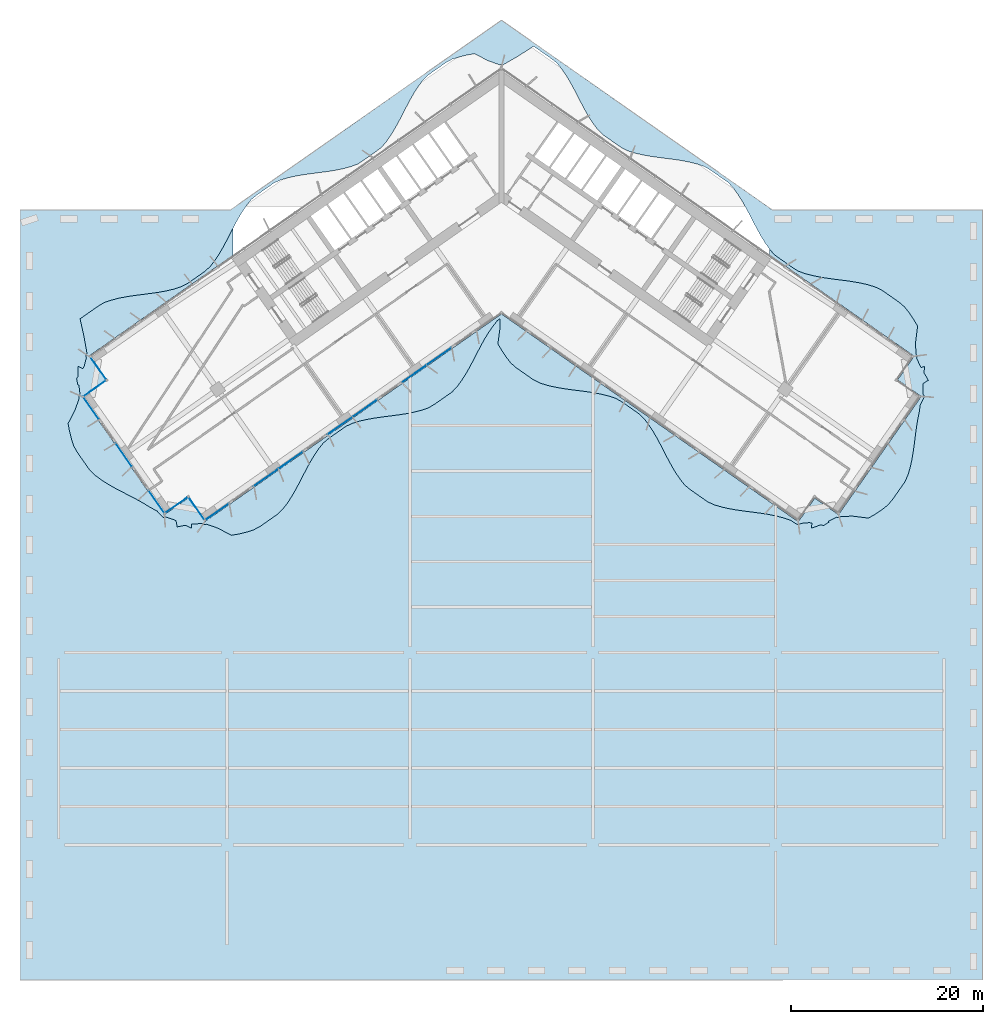
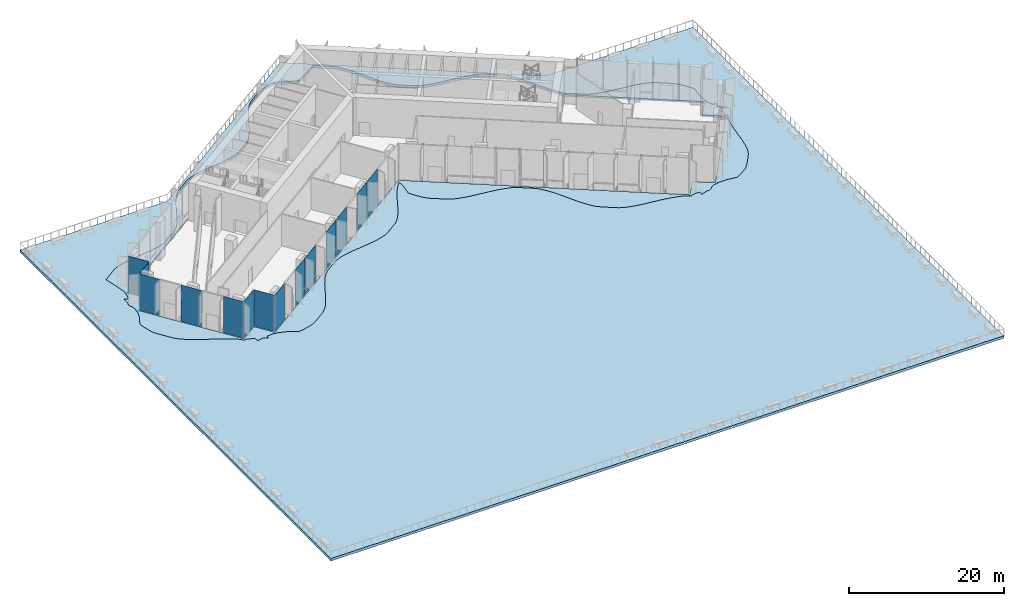
# One storey, part 13 of 27: 14 plates, 2 slabs, 6 elements without a shape of their own.
"""IFC4 building model written with IfcOpenShell, lengths in metres."""

from ifc_helpers import new_model, si_unit, direction, frame, origin, origin_2d, place, context, subcontext, project, spatial, polyline, rectangle, outline, extrude, material, layer, layer_set, type_object, element, aggregate, save


model = new_model("IFC4")

# Units and contexts
model_context = context("Model", 3, precision=1e-05, world=origin(), true_north=direction((0.0, 1.0)))
body_context = subcontext(model_context, "Body", "Model", "MODEL_VIEW")
ifc_project = project(units=[si_unit("LENGTHUNIT", "METRE"), si_unit("AREAUNIT", "SQUARE_METRE"), si_unit("VOLUMEUNIT", "CUBIC_METRE"), si_unit("PLANEANGLEUNIT", "RADIAN"), si_unit("MASSUNIT", "GRAM", prefix="KILO")], contexts=[model_context])

# Site, building, storey
site_placement = place(None, origin())
site = spatial("IfcSite", under=ifc_project, at=site_placement, CompositionType="ELEMENT")
building_placement = place(site_placement, origin())
building = spatial("IfcBuilding", under=site, at=building_placement, Name="Tel Ilan Convention Tower", CompositionType="ELEMENT")
storey_placement = place(building_placement, frame((0.0, 0.0, 48.5)))
storey = spatial("IfcBuildingStorey", under=building, at=storey_placement, Name="L07", CompositionType="ELEMENT", Elevation=48.5)

# Curtain wall, plates
ifc_material_1 = material(Name="Aluminium, bronze anodised", Category="aluminium")
curtain_wall_type = type_object("IfcCurtainWallType", Name="CW1 UNITISED CURTAIN WALL, HOTEL TINTED GLASS", PredefinedType="NOTDEFINED", material=ifc_material_1)
curtain_wall_1_placement = place(storey_placement, origin())
curtain_wall_1 = element("IfcCurtainWall", 1, at=curtain_wall_1_placement, inside=storey, type_object=curtain_wall_type, Name="Curtain wall CW1-10.02", PredefinedType="NOTDEFINED")
ifc_material_2 = material(Name="Glass, bronze tinted, two-ply unitised", Category="glass")
ifc_layer_1 = layer(ifc_material_2, 0.028076171875)
ifc_layer_set_1 = layer_set([ifc_layer_1], Name="CW HOTEL GLASS PANEL 28")
plate_type = type_object("IfcPlateType", Name="CW HOTEL GLASS PANEL 28", PredefinedType="CURTAIN_PANEL", material=ifc_layer_set_1)
plate_1_placement = place(storey_placement, frame((-24.4716796875, -29.831298828125, 0.0), z_axis=(0.0, 0.0, 1.0), x_axis=(0.819152044289, 0.573576436351, 0.0)))
plate_1 = element("IfcPlate", 2, at=plate_1_placement, type_object=plate_type, Name="Glass panel", PredefinedType="CURTAIN_PANEL", context=body_context, shape_type="SweptSolid", body=[
    extrude(rectangle(XDim=3.077392578125, YDim=0.028076171875, at=origin_2d()), origin(), (0.0, 0.0, 1.0), 5.719970703125),
])
plate_2_placement = place(storey_placement, frame((-21.90185546875, -28.031982421875, 0.0), z_axis=(0.0, 0.0, 1.0), x_axis=(0.819152044289, 0.573576436351, 0.0)))
plate_2 = element("IfcPlate", 3, at=plate_2_placement, type_object=plate_type, Name="Glass panel", PredefinedType="CURTAIN_PANEL", context=body_context, shape_type="SweptSolid", body=[
    extrude(rectangle(XDim=3.077392578125, YDim=0.028076171875, at=origin_2d()), origin(), (0.0, 0.0, 1.0), 5.719970703125),
])
aggregate(curtain_wall_1, [plate_1, plate_2])

curtain_wall_2_placement = place(storey_placement, origin())
curtain_wall_2 = element("IfcCurtainWall", 4, at=curtain_wall_2_placement, inside=storey, type_object=curtain_wall_type, Name="Curtain wall CW1-10.04", PredefinedType="NOTDEFINED")
plate_3_placement = place(storey_placement, frame((-16.761962890625, -24.432861328125, 0.0), z_axis=(0.0, 0.0, 1.0), x_axis=(0.819152044289, 0.573576436351, 0.0)))
plate_3 = element("IfcPlate", 5, at=plate_3_placement, type_object=plate_type, Name="Glass panel", PredefinedType="CURTAIN_PANEL", context=body_context, shape_type="SweptSolid", body=[
    extrude(rectangle(XDim=3.077392578125, YDim=0.028076171875, at=origin_2d()), origin(), (0.0, 0.0, 1.0), 5.719970703125),
])
plate_4_placement = place(storey_placement, frame((-14.192138671875, -22.633544921875, 0.0), z_axis=(0.0, 0.0, 1.0), x_axis=(0.819152044289, 0.573576436351, 0.0)))
plate_4 = element("IfcPlate", 6, at=plate_4_placement, type_object=plate_type, Name="Glass panel", PredefinedType="CURTAIN_PANEL", context=body_context, shape_type="SweptSolid", body=[
    extrude(rectangle(XDim=3.077392578125, YDim=0.028076171875, at=origin_2d()), origin(), (0.0, 0.0, 1.0), 5.719970703125),
])
aggregate(curtain_wall_2, [plate_3, plate_4])

curtain_wall_3_placement = place(storey_placement, origin())
curtain_wall_3 = element("IfcCurtainWall", 7, at=curtain_wall_3_placement, inside=storey, type_object=curtain_wall_type, Name="Curtain wall CW1-10.06", PredefinedType="NOTDEFINED")
plate_5_placement = place(storey_placement, frame((-9.05224609375, -19.034423828125, 0.0), z_axis=(0.0, 0.0, 1.0), x_axis=(0.819152044289, 0.573576436351, 0.0)))
plate_5 = element("IfcPlate", 8, at=plate_5_placement, type_object=plate_type, Name="Glass panel", PredefinedType="CURTAIN_PANEL", context=body_context, shape_type="SweptSolid", body=[
    extrude(rectangle(XDim=3.077392578125, YDim=0.028076171875, at=origin_2d()), origin(), (0.0, 0.0, 1.0), 5.719970703125),
])
plate_6_placement = place(storey_placement, frame((-6.482177734375, -17.23486328125, 0.0), z_axis=(0.0, 0.0, 1.0), x_axis=(0.819152044289, 0.573576436351, 0.0)))
plate_6 = element("IfcPlate", 9, at=plate_6_placement, type_object=plate_type, Name="Glass panel", PredefinedType="CURTAIN_PANEL", context=body_context, shape_type="SweptSolid", body=[
    extrude(rectangle(XDim=3.077392578125, YDim=0.028076171875, at=origin_2d()), origin(), (0.0, 0.0, 1.0), 5.719970703125),
])
aggregate(curtain_wall_3, [plate_5, plate_6])

curtain_wall_4_placement = place(storey_placement, origin())
curtain_wall_4 = element("IfcCurtainWall", 10, at=curtain_wall_4_placement, inside=storey, type_object=curtain_wall_type, Name="Curtain wall CW1-10.28", PredefinedType="NOTDEFINED")
plate_7_placement = place(storey_placement, frame((-41.90673828125, -18.431640625, 0.0), z_axis=(0.0, 0.0, 1.0), x_axis=(0.573576436351, -0.819152044289, 0.0)))
plate_7 = element("IfcPlate", 11, at=plate_7_placement, type_object=plate_type, Name="Glass panel", PredefinedType="CURTAIN_PANEL", context=body_context, shape_type="SweptSolid", body=[
    extrude(rectangle(XDim=2.875, YDim=0.028076171875, at=origin_2d()), origin(), (0.0, 0.0, 1.0), 5.719970703125),
])
plate_8_placement = place(storey_placement, frame((-42.28466796875, -20.57421875, 0.0), z_axis=(0.0, 0.0, 1.0), x_axis=(-0.819152044289, -0.573576436351, 0.0)))
plate_8 = element("IfcPlate", 12, at=plate_8_placement, type_object=plate_type, Name="Glass panel", PredefinedType="CURTAIN_PANEL", context=body_context, shape_type="SweptSolid", body=[
    extrude(rectangle(XDim=2.875, YDim=0.028076171875, at=origin_2d()), origin(), (0.0, 0.0, 1.0), 5.719970703125),
])
plate_9_placement = place(storey_placement, frame((-42.65185546875, -22.597900390625, 0.0), z_axis=(0.0, 0.0, 1.0), x_axis=(0.573576436351, -0.819152044289, 0.0)))
plate_9 = element("IfcPlate", 13, at=plate_9_placement, type_object=plate_type, Name="Glass panel", PredefinedType="CURTAIN_PANEL", context=body_context, shape_type="SweptSolid", body=[
    extrude(rectangle(XDim=2.845947265625, YDim=0.028076171875, at=origin_2d()), origin(), (0.0, 0.0, 1.0), 5.719970703125),
])
aggregate(curtain_wall_4, [plate_7, plate_8, plate_9])

# Curtain wall, plate
curtain_wall_5_placement = place(storey_placement, origin())
curtain_wall_5 = element("IfcCurtainWall", 14, at=curtain_wall_5_placement, inside=storey, type_object=curtain_wall_type, Name="Curtain wall CW1-10.30", PredefinedType="NOTDEFINED")
plate_10_placement = place(storey_placement, frame((-39.2373046875, -27.474365234375, 0.0), z_axis=(0.0, 0.0, 1.0), x_axis=(0.573576436351, -0.819152044289, 0.0)))
plate_10 = element("IfcPlate", 15, at=plate_10_placement, type_object=plate_type, Name="Glass panel", PredefinedType="CURTAIN_PANEL", context=body_context, shape_type="SweptSolid", body=[
    extrude(rectangle(XDim=2.93994140625, YDim=0.028076171875, at=origin_2d()), origin(), (0.0, 0.0, 1.0), 5.719970703125),
])
aggregate(curtain_wall_5, [plate_10])

# Curtain wall, plates
curtain_wall_6_placement = place(storey_placement, origin())
curtain_wall_6 = element("IfcCurtainWall", 16, at=curtain_wall_6_placement, inside=storey, type_object=curtain_wall_type, Name="Curtain wall CW1-10.32", PredefinedType="NOTDEFINED")
plate_11_placement = place(storey_placement, frame((-35.822998046875, -32.350830078125, 0.0), z_axis=(0.0, 0.0, 1.0), x_axis=(0.573576436351, -0.819152044289, 0.0)))
plate_11 = element("IfcPlate", 17, at=plate_11_placement, type_object=plate_type, Name="Glass panel", PredefinedType="CURTAIN_PANEL", context=body_context, shape_type="SweptSolid", body=[
    extrude(rectangle(XDim=2.845947265625, YDim=0.028076171875, at=origin_2d()), origin(), (0.0, 0.0, 1.0), 5.719970703125),
])
plate_12_placement = place(storey_placement, frame((-33.795654296875, -32.69775390625, 0.0), z_axis=(0.0, 0.0, 1.0), x_axis=(0.819152044289, 0.573576436351, 0.0)))
plate_12 = element("IfcPlate", 18, at=plate_12_placement, type_object=plate_type, Name="Glass panel", PredefinedType="CURTAIN_PANEL", context=body_context, shape_type="SweptSolid", body=[
    extrude(rectangle(XDim=2.875, YDim=0.028076171875, at=origin_2d()), origin(), (0.0, 0.0, 1.0), 5.719970703125),
])
plate_13_placement = place(storey_placement, frame((-31.653076171875, -33.07568359375, 0.0), z_axis=(0.0, 0.0, 1.0), x_axis=(0.573576436351, -0.819152044289, 0.0)))
plate_13 = element("IfcPlate", 19, at=plate_13_placement, type_object=plate_type, Name="Glass panel", PredefinedType="CURTAIN_PANEL", context=body_context, shape_type="SweptSolid", body=[
    extrude(rectangle(XDim=2.875, YDim=0.028076171875, at=origin_2d()), origin(), (0.0, 0.0, 1.0), 5.719970703125),
])
plate_14_placement = place(storey_placement, frame((-29.5732421875, -33.4033203125, 0.0), z_axis=(0.0, 0.0, 1.0), x_axis=(0.819152044289, 0.573576436351, 0.0)))
plate_14 = element("IfcPlate", 20, at=plate_14_placement, type_object=plate_type, Name="Glass panel", PredefinedType="CURTAIN_PANEL", context=body_context, shape_type="SweptSolid", body=[
    extrude(rectangle(XDim=2.9833984375, YDim=0.028076171875, at=origin_2d()), origin(), (0.0, 0.0, 1.0), 5.719970703125),
])
aggregate(curtain_wall_6, [plate_11, plate_12, plate_13, plate_14])

# Slabs
ifc_material_3 = material(Name="Concrete C40/50", Category="concrete")
ifc_layer_2 = layer(ifc_material_3, 0.280029296875)
ifc_layer_set_2 = layer_set([ifc_layer_2], Name="Edge Ledge Slab 280 mm C40/50")
slab_type_1 = type_object("IfcSlabType", Name="Edge Ledge Slab 280 mm C40/50", PredefinedType="FLOOR", material=ifc_layer_set_2)
slab_1_placement = place(storey_placement, frame((0.0, 0.0, -0.280029296875)))
element("IfcSlab", 21, at=slab_1_placement, inside=storey, type_object=slab_type_1, Name="L07 edge ledge 1", PredefinedType="FLOOR", context=body_context, shape_type="SweptSolid", body=[
    extrude(outline(polyline([(-30.83935546875, -34.412109375), (0.0, -12.818115234375), (30.83935546875, -34.412109375), (31.006591796875, -34.173095703125), (31.8720703125, -32.93701171875), (32.56005859375, -31.95458984375), (35.017578125, -33.67529296875), (43.62109375, -21.387939453125), (41.163818359375, -19.667236328125), (42.884521484375, -17.209716796875), (27.875, -6.7001953125), (27.875, -6.095458984375), (28.356689453125, -6.663818359375), (28.9658203125, -7.097900390625), (30.191162109375, -7.955810546875), (30.819091796875, -8.36279296875), (31.54931640625, -8.623779296875), (32.318115234375, -8.830078125), (33.117919921875, -8.99169921875), (33.940185546875, -9.120849609375), (34.77587890625, -9.2314453125), (35.614501953125, -9.337646484375), (36.44580078125, -9.4541015625), (37.260009765625, -9.595458984375), (38.0478515625, -9.774169921875), (38.80126953125, -10.001953125), (39.492919921875, -10.318115234375), (41.330810546875, -11.605224609375), (41.898193359375, -12.098876953125), (42.38134765625, -12.712890625), (42.827880859375, -13.378662109375), (43.245849609375, -14.085693359375), (43.041259765625, -15.681884765625), (43.056396484375, -16.964111328125), (43.05322265625, -16.96875), (43.096435546875, -16.997802734375), (43.16162109375, -17.094970703125), (43.184326171875, -17.209716796875), (43.16162109375, -17.32470703125), (43.12548828125, -17.378662109375), (43.130126953125, -17.3818359375), (43.590087890625, -18.400390625), (43.980224609375, -18.259765625), (43.89599609375, -18.9287109375), (44.357421875, -19.7060546875), (43.8017578125, -20.049560546875), (43.78125, -20.04541015625), (43.793212890625, -21.142333984375), (43.789794921875, -21.14697265625), (43.833251953125, -21.17578125), (43.898193359375, -21.273193359375), (43.921142578125, -21.387939453125), (43.898193359375, -21.502685546875), (43.8623046875, -21.556884765625), (43.866943359375, -21.56005859375), (43.5263671875, -22.2373046875), (43.40673828125, -23.069091796875), (43.24267578125, -23.86962890625), (43.11181640625, -24.693603515625), (43.00048828125, -25.53125), (42.89404296875, -26.372314453125), (42.777587890625, -27.20654296875), (42.63720703125, -28.023681640625), (42.45947265625, -28.814697265625), (42.232421875, -29.571533203125), (41.919921875, -30.268310546875), (40.62939453125, -32.111328125), (40.13671875, -32.681884765625), (39.521728515625, -33.1669921875), (38.8544921875, -33.615234375), (38.145751953125, -34.034423828125), (36.55078125, -33.833251953125), (35.26318359375, -33.847412109375), (35.258544921875, -33.843994140625), (35.2294921875, -33.887451171875), (35.13232421875, -33.952392578125), (35.017578125, -33.975341796875), (34.902587890625, -33.952392578125), (34.8486328125, -33.91650390625), (34.845458984375, -33.921142578125), (33.979248046875, -34.3603515625), (34.032958984375, -34.45068359375), (33.477294921875, -34.794189453125), (33.17138671875, -34.73291015625), (32.20068359375, -35.082763671875), (32.267822265625, -34.55126953125), (32.01025390625, -34.49951171875), (31.0849609375, -34.583984375), (31.080322265625, -34.580810546875), (31.051513671875, -34.624267578125), (30.9541015625, -34.689208984375), (30.83935546875, -34.7119140625), (30.724609375, -34.689208984375), (30.67041015625, -34.653076171875), (30.667236328125, -34.65771484375), (30.052001953125, -34.24951171875), (29.31787109375, -34.010986328125), (28.5576171875, -33.809814453125), (27.76708984375, -33.6513671875), (26.955078125, -33.5244140625), (26.130126953125, -33.415283203125), (25.302490234375, -33.310546875), (24.481689453125, -33.19580078125), (23.67724609375, -33.0576171875), (22.898193359375, -32.8828125), (22.15234375, -32.6611328125), (21.460693359375, -32.362060546875), (19.646728515625, -31.091796875), (19.073486328125, -30.623291015625), (18.59130859375, -30.025146484375), (18.145263671875, -29.375), (17.728759765625, -28.682861328125), (17.333251953125, -27.960693359375), (16.949462890625, -27.2216796875), (16.567626953125, -26.47998046875), (16.177734375, -25.749755859375), (15.7705078125, -25.044189453125), (15.33740234375, -24.376220703125), (14.8701171875, -23.75634765625), (14.340576171875, -23.2255859375), (12.526611328125, -21.95556640625), (11.8798828125, -21.591796875), (11.14892578125, -21.3486328125), (10.38232421875, -21.15673828125), (9.5869140625, -21.005615234375), (8.771484375, -20.883056640625), (7.9453125, -20.77587890625), (7.1181640625, -20.67041015625), (6.2998046875, -20.552001953125), (5.499755859375, -20.40771484375), (4.726806640625, -20.224609375), (3.98828125, -19.9921875), (3.320068359375, -19.65966796875), (1.505859375, -18.389404296875), (0.95361328125, -17.89111328125), (0.47900390625, -17.281982421875), (0.03955078125, -16.62255859375), (-0.37109375, -15.922119140625), (-0.15185546875, -14.322021484375), (-0.16796875, -13.314697265625), (-0.422119140625, -13.502197265625), (-0.897216796875, -14.110595703125), (-1.346435546875, -14.75634765625), (-1.765380859375, -15.44482421875), (-2.16259765625, -16.16455078125), (-2.547119140625, -16.90234375), (-2.9287109375, -17.644287109375), (-3.3173828125, -18.37646484375), (-3.722412109375, -19.0849609375), (-4.15283203125, -19.757080078125), (-4.616455078125, -20.38232421875), (-5.134033203125, -20.929931640625), (-6.947998046875, -22.2001953125), (-7.584228515625, -22.57861328125), (-8.311279296875, -22.8271484375), (-9.074951171875, -23.023681640625), (-9.867919921875, -23.178466796875), (-10.681640625, -23.30322265625), (-11.507080078125, -23.4111328125), (-12.334716796875, -23.516357421875), (-13.154296875, -23.6328125), (-13.95654296875, -23.774169921875), (-14.732666015625, -23.952880859375), (-15.474853515625, -24.1796875), (-16.154541015625, -24.495849609375), (-17.96875, -25.76611328125), (-18.531494140625, -26.249267578125), (-19.010009765625, -26.85302734375), (-19.45263671875, -27.5078125), (-19.86669921875, -28.20361328125), (-20.2607421875, -28.927978515625), (-20.643798828125, -29.66748046875), (-21.02587890625, -30.40869140625), (-21.4169921875, -31.13720703125), (-21.826416015625, -31.839599609375), (-22.262939453125, -32.50341796875), (-22.733642578125, -33.117919921875), (-23.27490234375, -33.632080078125), (-25.0888671875, -34.90234375), (-25.74609375, -35.2509765625), (-26.48095703125, -35.488525390625), (-27.250732421875, -35.676025390625), (-28.049560546875, -35.822265625), (-29.47802734375, -35.069091796875), (-30.667236328125, -34.65771484375), (-30.67041015625, -34.653076171875), (-30.724609375, -34.689208984375), (-30.83935546875, -34.7119140625), (-30.9541015625, -34.689208984375), (-31.051513671875, -34.624267578125), (-31.080322265625, -34.580810546875), (-31.0849609375, -34.583984375), (-32.199462890625, -34.66796875), (-32.20068359375, -35.082763671875), (-32.80029296875, -34.77490234375), (-33.688720703125, -34.9423828125), (-33.821533203125, -34.302734375), (-33.810546875, -34.284912109375), (-34.845458984375, -33.921142578125), (-34.8486328125, -33.91650390625), (-34.902587890625, -33.952392578125), (-35.017578125, -33.975341796875), (-35.13232421875, -33.952392578125), (-35.2294921875, -33.887451171875), (-35.258544921875, -33.843994140625), (-35.26318359375, -33.847412109375), (-35.783203125, -33.2958984375), (-36.523681640625, -32.89892578125), (-37.22021484375, -32.470703125), (-37.94970703125, -32.066162109375), (-38.698486328125, -31.6748046875), (-39.452392578125, -31.287353515625), (-40.196533203125, -30.892578125), (-40.91650390625, -30.481201171875), (-41.59912109375, -30.04345703125), (-42.232421875, -29.571533203125), (-42.7802734375, -29.03955078125), (-44.07080078125, -27.1962890625), (-44.438720703125, -26.538330078125), (-44.68408203125, -25.794677734375), (-44.876953125, -25.01416015625), (-45.028564453125, -24.20458984375), (-44.2939453125, -22.77490234375), (-43.866943359375, -21.56005859375), (-43.8623046875, -21.556884765625), (-43.898193359375, -21.502685546875), (-43.921142578125, -21.387939453125), (-43.898193359375, -21.273193359375), (-43.833251953125, -21.17578125), (-43.789794921875, -21.14697265625), (-43.793212890625, -21.142333984375), (-43.909912109375, -20.177978515625), (-44.01318359375, -20.197509765625), (-44.14599609375, -19.55810546875), (-43.9833984375, -19.29150390625), (-43.980224609375, -18.259765625), (-43.50390625, -18.504638671875), (-43.3671875, -18.2802734375), (-43.130126953125, -17.3818359375), (-43.12548828125, -17.378662109375), (-43.16162109375, -17.32470703125), (-43.184326171875, -17.209716796875), (-43.16162109375, -17.094970703125), (-43.096435546875, -16.997802734375), (-43.05322265625, -16.96875), (-43.056396484375, -16.964111328125), (-43.364990234375, -15.219482421875), (-43.78125, -13.321044921875), (-43.168701171875, -12.89208984375), (-41.943603515625, -12.0341796875), (-41.30322265625, -11.64453125), (-40.56787109375, -11.390869140625), (-39.794921875, -11.19091796875), (-38.99169921875, -11.033935546875), (-38.1669921875, -10.90771484375), (-37.33056640625, -10.798583984375), (-36.4921875, -10.69189453125), (-35.66259765625, -10.572998046875), (-34.851318359375, -10.427734375), (-34.067138671875, -10.243408203125), (-33.318603515625, -10.0087890625), (-32.6416015625, -9.671630859375), (-30.8037109375, -8.384765625), (-30.250244140625, -7.87109375), (-29.772216796875, -7.250244140625), (-29.329345703125, -6.57861328125), (-28.91455078125, -5.8671875), (-28.518310546875, -5.129150390625), (-28.131103515625, -4.378173828125), (-27.875, -3.883544921875), (-27.875, -6.7001953125), (-42.884521484375, -17.209716796875), (-41.163818359375, -19.667236328125), (-43.62109375, -21.387939453125), (-35.017578125, -33.67529296875), (-32.56005859375, -31.95458984375), (-31.8720703125, -32.93701171875), (-31.008056640625, -34.1708984375), (-30.83935546875, -34.412109375)])), origin(), (0.0, 0.0, 1.0), 0.280029296875),
])
ifc_material_4 = material(Name="Concrete C40/50", Category="concrete")
ifc_layer_3 = layer(ifc_material_4, 0.39990234375)
ifc_layer_set_3 = layer_set([ifc_layer_3], Name="Terrace Deck Slab 400 mm C40/50")
slab_type_2 = type_object("IfcSlabType", Name="Terrace Deck Slab 400 mm C40/50", PredefinedType="FLOOR", material=ifc_layer_set_3)
slab_2_placement = place(storey_placement, frame((0.0, 0.0, -0.39990234375)))
element("IfcSlab", 22, at=slab_2_placement, inside=storey, type_object=slab_type_2, Name="L07 terrace deck 1", PredefinedType="FLOOR", context=body_context, shape_type="SweptSolid", body=[
    extrude(outline(polyline([(-50.0, -82.0), (-50.0, -2.0), (-28.13623046875, -2.0), (0.0, 17.701171875), (28.13623046875, -2.0), (50.0, -2.0), (50.0, -82.0), (-50.0, -82.0)]), holes=[polyline([(-30.83935546875, -34.7119140625), (-30.724609375, -34.689208984375), (-30.67041015625, -34.653076171875), (-30.667236328125, -34.65771484375), (-29.47802734375, -35.069091796875), (-28.049560546875, -35.822265625), (-27.250732421875, -35.676025390625), (-26.48095703125, -35.488525390625), (-25.74609375, -35.2509765625), (-25.0888671875, -34.90234375), (-23.27490234375, -33.632080078125), (-22.733642578125, -33.117919921875), (-22.262939453125, -32.50341796875), (-21.826416015625, -31.839599609375), (-21.4169921875, -31.13720703125), (-21.02587890625, -30.40869140625), (-20.643798828125, -29.66748046875), (-20.2607421875, -28.927978515625), (-19.86669921875, -28.20361328125), (-19.45263671875, -27.5078125), (-19.010009765625, -26.85302734375), (-18.531494140625, -26.249267578125), (-17.96875, -25.76611328125), (-16.154541015625, -24.495849609375), (-15.474853515625, -24.1796875), (-14.732666015625, -23.952880859375), (-13.95654296875, -23.774169921875), (-13.154296875, -23.6328125), (-12.334716796875, -23.516357421875), (-11.507080078125, -23.4111328125), (-10.681640625, -23.30322265625), (-9.867919921875, -23.178466796875), (-9.074951171875, -23.023681640625), (-8.311279296875, -22.8271484375), (-7.584228515625, -22.57861328125), (-6.947998046875, -22.2001953125), (-5.134033203125, -20.929931640625), (-4.616455078125, -20.38232421875), (-4.15283203125, -19.757080078125), (-3.722412109375, -19.0849609375), (-3.3173828125, -18.37646484375), (-2.9287109375, -17.644287109375), (-2.547119140625, -16.90234375), (-2.16259765625, -16.16455078125), (-1.765380859375, -15.44482421875), (-1.346435546875, -14.75634765625), (-0.897216796875, -14.110595703125), (-0.422119140625, -13.502197265625), (-0.16796875, -13.314697265625), (-0.15185546875, -14.322021484375), (-0.37109375, -15.922119140625), (0.03955078125, -16.62255859375), (0.47900390625, -17.281982421875), (0.95361328125, -17.89111328125), (1.505859375, -18.389404296875), (3.320068359375, -19.65966796875), (3.98828125, -19.9921875), (4.726806640625, -20.224609375), (5.499755859375, -20.40771484375), (6.2998046875, -20.552001953125), (7.1181640625, -20.67041015625), (7.9453125, -20.77587890625), (8.771484375, -20.883056640625), (9.5869140625, -21.005615234375), (10.38232421875, -21.15673828125), (11.14892578125, -21.3486328125), (11.8798828125, -21.591796875), (12.526611328125, -21.95556640625), (14.340576171875, -23.2255859375), (14.8701171875, -23.75634765625), (15.33740234375, -24.376220703125), (15.7705078125, -25.044189453125), (16.177734375, -25.749755859375), (16.567626953125, -26.47998046875), (16.949462890625, -27.2216796875), (17.333251953125, -27.960693359375), (17.728759765625, -28.682861328125), (18.145263671875, -29.375), (18.59130859375, -30.025146484375), (19.073486328125, -30.623291015625), (19.646728515625, -31.091796875), (21.460693359375, -32.362060546875), (22.15234375, -32.6611328125), (22.898193359375, -32.8828125), (23.67724609375, -33.0576171875), (24.481689453125, -33.19580078125), (25.302490234375, -33.310546875), (26.130126953125, -33.415283203125), (26.955078125, -33.5244140625), (27.76708984375, -33.6513671875), (28.5576171875, -33.809814453125), (29.31787109375, -34.010986328125), (30.052001953125, -34.24951171875), (30.667236328125, -34.65771484375), (30.67041015625, -34.653076171875), (30.724609375, -34.689208984375), (30.83935546875, -34.7119140625), (30.9541015625, -34.689208984375), (31.051513671875, -34.624267578125), (31.080322265625, -34.580810546875), (31.0849609375, -34.583984375), (32.01025390625, -34.49951171875), (32.267822265625, -34.55126953125), (32.20068359375, -35.082763671875), (33.17138671875, -34.73291015625), (33.477294921875, -34.794189453125), (34.032958984375, -34.45068359375), (33.979248046875, -34.3603515625), (34.845458984375, -33.921142578125), (34.8486328125, -33.91650390625), (34.902587890625, -33.952392578125), (35.017578125, -33.975341796875), (35.13232421875, -33.952392578125), (35.2294921875, -33.887451171875), (35.258544921875, -33.843994140625), (35.26318359375, -33.847412109375), (36.55078125, -33.833251953125), (38.145751953125, -34.034423828125), (38.8544921875, -33.615234375), (39.521728515625, -33.1669921875), (40.13671875, -32.681884765625), (40.62939453125, -32.111328125), (41.919921875, -30.268310546875), (42.232421875, -29.571533203125), (42.45947265625, -28.814697265625), (42.63720703125, -28.023681640625), (42.777587890625, -27.20654296875), (42.89404296875, -26.372314453125), (43.00048828125, -25.53125), (43.11181640625, -24.693603515625), (43.24267578125, -23.86962890625), (43.40673828125, -23.069091796875), (43.5263671875, -22.2373046875), (43.866943359375, -21.56005859375), (43.8623046875, -21.556884765625), (43.898193359375, -21.502685546875), (43.921142578125, -21.387939453125), (43.898193359375, -21.273193359375), (43.833251953125, -21.17578125), (43.789794921875, -21.14697265625), (43.793212890625, -21.142333984375), (43.78125, -20.04541015625), (43.8017578125, -20.049560546875), (44.357421875, -19.7060546875), (43.89599609375, -18.9287109375), (43.980224609375, -18.259765625), (43.590087890625, -18.400390625), (43.130126953125, -17.3818359375), (43.12548828125, -17.378662109375), (43.16162109375, -17.32470703125), (43.184326171875, -17.209716796875), (43.16162109375, -17.094970703125), (43.096435546875, -16.997802734375), (43.05322265625, -16.96875), (43.056396484375, -16.964111328125), (43.041259765625, -15.681884765625), (43.245849609375, -14.085693359375), (42.827880859375, -13.378662109375), (42.38134765625, -12.712890625), (41.898193359375, -12.098876953125), (41.330810546875, -11.605224609375), (39.492919921875, -10.318115234375), (38.80126953125, -10.001953125), (38.0478515625, -9.774169921875), (37.260009765625, -9.595458984375), (36.44580078125, -9.4541015625), (35.614501953125, -9.337646484375), (34.77587890625, -9.2314453125), (33.940185546875, -9.120849609375), (33.117919921875, -8.99169921875), (32.318115234375, -8.830078125), (31.54931640625, -8.623779296875), (30.819091796875, -8.36279296875), (30.191162109375, -7.955810546875), (28.9658203125, -7.097900390625), (28.356689453125, -6.663818359375), (27.856689453125, -6.073974609375), (27.395751953125, -5.428466796875), (26.966796875, -4.737060546875), (26.561767578125, -4.01171875), (26.1708984375, -3.265869140625), (25.784423828125, -2.513916015625), (25.39208984375, -1.7705078125), (24.983642578125, -1.0498046875), (24.5498046875, -0.365478515625), (24.082763671875, 0.271240234375), (23.564453125, 0.8349609375), (21.7265625, 2.121826171875), (21.081787109375, 2.505126953125), (20.344482421875, 2.756103515625), (19.5703125, 2.9541015625), (18.76611328125, 3.109619140625), (17.940673828125, 3.234619140625), (17.103759765625, 3.343505859375), (16.265625, 3.4501953125), (15.4365234375, 3.570068359375), (14.626220703125, 3.716796875), (13.843505859375, 3.903076171875), (13.0966796875, 4.139892578125), (12.4248046875, 4.484619140625), (10.5869140625, 5.771484375), (10.038330078125, 6.2919921875), (9.56201171875, 6.915283203125), (9.12060546875, 7.589111328125), (8.70654296875, 8.3017578125), (8.31103515625, 9.040771484375), (7.924072265625, 9.7919921875), (7.535400390625, 10.540771484375), (7.134765625, 11.272705078125), (6.712646484375, 11.9736328125), (6.26025390625, 12.63134765625), (5.7705078125, 13.23583984375), (5.185302734375, 13.7041015625), (3.960205078125, 14.56201171875), (3.347412109375, 14.990966796875), (1.705810546875, 13.95068359375), (0.172119140625, 13.06396484375), (0.168701171875, 13.05908203125), (0.11474609375, 13.09521484375), (0.0, 13.1181640625), (-0.11474609375, 13.09521484375), (-0.168701171875, 13.05908203125), (-0.172119140625, 13.06396484375), (-1.382080078125, 13.48828125), (-2.81201171875, 14.226318359375), (-3.619384765625, 14.075439453125), (-4.39794921875, 13.88330078125), (-5.14013671875, 13.639404296875), (-5.798095703125, 13.275146484375), (-7.635986328125, 11.98828125), (-8.169677734375, 11.446533203125), (-8.641357421875, 10.81640625), (-9.078857421875, 10.13720703125), (-9.489990234375, 9.42041015625), (-9.8837890625, 8.67919921875), (-10.2705078125, 7.927490234375), (-10.66015625, 7.179931640625), (-11.06298828125, 6.451416015625), (-11.48828125, 5.755126953125), (-11.945068359375, 5.103271484375), (-12.43994140625, 4.506103515625), (-13.037353515625, 4.055419921875), (-14.2626953125, 3.197509765625), (-14.87890625, 2.773681640625), (-15.60400390625, 2.50537109375), (-16.368408203125, 2.29296875), (-17.16455078125, 2.12646484375), (-17.98486328125, 1.993896484375), (-18.8193359375, 1.881591796875), (-19.658203125, 1.77587890625), (-20.490966796875, 1.661376953125), (-21.307861328125, 1.52392578125), (-22.099365234375, 1.350341796875), (-22.857421875, 1.129150390625), (-23.564453125, 0.8349609375), (-25.40234375, -0.451904296875), (-25.98291015625, -0.9267578125), (-26.470947265625, -1.533447265625), (-26.921875, -2.193603515625), (-27.343017578125, -2.89599609375), (-27.742919921875, -3.62890625), (-28.131103515625, -4.378173828125), (-28.518310546875, -5.129150390625), (-28.91455078125, -5.8671875), (-29.329345703125, -6.57861328125), (-29.772216796875, -7.250244140625), (-30.250244140625, -7.87109375), (-30.8037109375, -8.384765625), (-32.6416015625, -9.671630859375), (-33.318603515625, -10.0087890625), (-34.067138671875, -10.243408203125), (-34.851318359375, -10.427734375), (-35.66259765625, -10.572998046875), (-36.4921875, -10.69189453125), (-37.33056640625, -10.798583984375), (-38.1669921875, -10.90771484375), (-38.99169921875, -11.033935546875), (-39.794921875, -11.19091796875), (-40.56787109375, -11.390869140625), (-41.30322265625, -11.64453125), (-41.943603515625, -12.0341796875), (-43.168701171875, -12.89208984375), (-43.78125, -13.321044921875), (-43.364990234375, -15.219482421875), (-43.056396484375, -16.964111328125), (-43.05322265625, -16.96875), (-43.096435546875, -16.997802734375), (-43.16162109375, -17.094970703125), (-43.184326171875, -17.209716796875), (-43.16162109375, -17.32470703125), (-43.12548828125, -17.378662109375), (-43.130126953125, -17.3818359375), (-43.3671875, -18.2802734375), (-43.50390625, -18.504638671875), (-43.980224609375, -18.259765625), (-43.9833984375, -19.29150390625), (-44.14599609375, -19.55810546875), (-44.01318359375, -20.197509765625), (-43.909912109375, -20.177978515625), (-43.793212890625, -21.142333984375), (-43.789794921875, -21.14697265625), (-43.833251953125, -21.17578125), (-43.898193359375, -21.273193359375), (-43.921142578125, -21.387939453125), (-43.898193359375, -21.502685546875), (-43.8623046875, -21.556884765625), (-43.866943359375, -21.56005859375), (-44.2939453125, -22.77490234375), (-45.028564453125, -24.20458984375), (-44.876953125, -25.01416015625), (-44.68408203125, -25.794677734375), (-44.438720703125, -26.538330078125), (-44.07080078125, -27.1962890625), (-42.7802734375, -29.03955078125), (-42.232421875, -29.571533203125), (-41.59912109375, -30.04345703125), (-40.91650390625, -30.481201171875), (-40.196533203125, -30.892578125), (-39.452392578125, -31.287353515625), (-38.698486328125, -31.6748046875), (-37.94970703125, -32.066162109375), (-37.22021484375, -32.470703125), (-36.523681640625, -32.89892578125), (-35.783203125, -33.2958984375), (-35.26318359375, -33.847412109375), (-35.258544921875, -33.843994140625), (-35.2294921875, -33.887451171875), (-35.13232421875, -33.952392578125), (-35.017578125, -33.975341796875), (-34.902587890625, -33.952392578125), (-34.8486328125, -33.91650390625), (-34.845458984375, -33.921142578125), (-33.810546875, -34.284912109375), (-33.821533203125, -34.302734375), (-33.688720703125, -34.9423828125), (-32.80029296875, -34.77490234375), (-32.20068359375, -35.082763671875), (-32.199462890625, -34.66796875), (-31.0849609375, -34.583984375), (-31.080322265625, -34.580810546875), (-31.051513671875, -34.624267578125), (-30.9541015625, -34.689208984375), (-30.83935546875, -34.7119140625)])]), origin(), (0.0, 0.0, 1.0), 0.39990234375),
])

save(model, "model.ifc")
